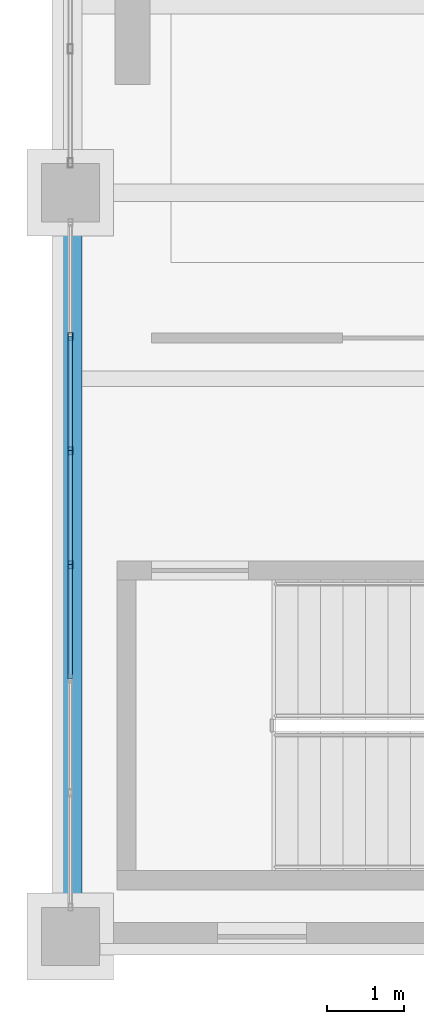
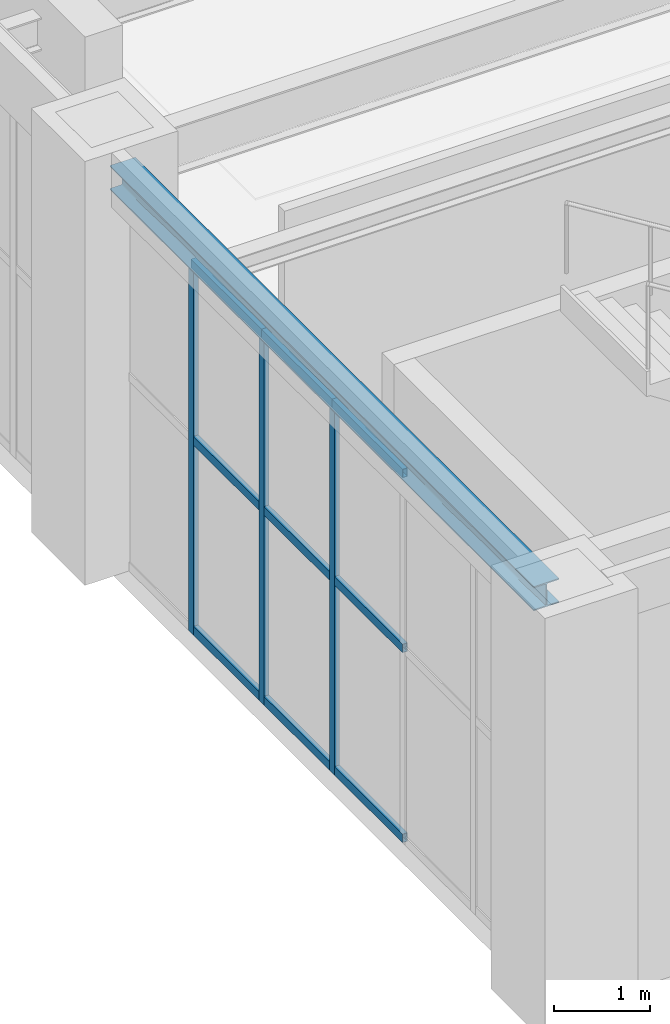
# One storey, part 24 of 164: 12 members, 1 beam, 1 element without a shape of its own.
"""IFC4 building model written with IfcOpenShell, lengths in metres."""

from ifc_helpers import new_model, si_unit, direction, frame, origin, origin_2d, place, context, subcontext, project, spatial, hollow_rectangle, i_section, extrude, material, material_profile, profile_set, type_object, element, aggregate, save


model = new_model("IFC4")

# Units and contexts
model_context = context("Model", 3, precision=1e-05, world=origin(), true_north=direction((0.0, 1.0)))
body_context = subcontext(model_context, "Body", "Model", "MODEL_VIEW")
ifc_project = project(units=[si_unit("LENGTHUNIT", "METRE"), si_unit("AREAUNIT", "SQUARE_METRE"), si_unit("VOLUMEUNIT", "CUBIC_METRE"), si_unit("PLANEANGLEUNIT", "RADIAN"), si_unit("MASSUNIT", "GRAM", prefix="KILO")], contexts=[model_context])

# Site, building, storey
site_placement = place(None, origin())
site = spatial("IfcSite", under=ifc_project, at=site_placement, CompositionType="ELEMENT")
building_placement = place(site_placement, origin())
building = spatial("IfcBuilding", under=site, at=building_placement, Name="Mavantir Sound Aquarium", CompositionType="ELEMENT")
storey_placement = place(building_placement, origin())
storey = spatial("IfcBuildingStorey", under=building, at=storey_placement, Name="L00", CompositionType="ELEMENT", Elevation=0.0)

# Beam
ifc_material_1 = material(Name="Structural Steel ASTM A992 Gr50", Category="steel")
ifc_material_profile_1 = material_profile(ifc_material_1, i_section(OverallWidth=0.304931640625, OverallDepth=0.30810546875, WebThickness=0.010009765625, FlangeThickness=0.015380859375, FilletRadius=0.014892578125, at=origin_2d()), Name="W310X97")
ifc_profile_set_1 = profile_set([ifc_material_profile_1], Name="Structural Steel ASTM A992 Gr50")
beam_type = type_object("IfcBeamType", Name="BM-W310X97-E", PredefinedType="SPANDREL", material=ifc_profile_set_1)
beam_placement = place(storey_placement, frame((0.0, 0.375, 4.94189453125), z_axis=(0.0, 1.0, 0.0), x_axis=(-1.0, 0.0, 0.0)))
element("IfcBeam", 1, at=beam_placement, inside=storey, type_object=beam_type, Name="L00 primary girder SS-31A 906", PredefinedType="SPANDREL", context=body_context, shape_type="SweptSolid", body=[
    extrude(i_section(OverallWidth=0.304931640625, OverallDepth=0.30810546875, WebThickness=0.010009765625, FlangeThickness=0.015380859375, FilletRadius=0.014892578125, at=origin_2d()), origin(), (0.0, 0.0, 1.0), 8.85009765625),
])

# Curtain wall, members
ifc_material_2 = material(Name="Anodised Marine Aluminium and Low-E Glass", Category="aluminium")
curtain_wall_type = type_object("IfcCurtainWallType", Name="CW-T13", PredefinedType="USERDEFINED", material=ifc_material_2)
curtain_wall_placement = place(storey_placement, origin())
curtain_wall = element("IfcCurtainWall", 2, at=curtain_wall_placement, inside=storey, type_object=curtain_wall_type, Name="L00 unitised curtain wall CW-13 13", ObjectType="UNITISED GLAZING", PredefinedType="USERDEFINED")
ifc_material_3 = material(Name="Anodised Marine Aluminium 6063-T6", Category="aluminium")
ifc_material_profile_2 = material_profile(ifc_material_3, hollow_rectangle(XDim=0.06005859375, YDim=0.10009765625, WallThickness=0.00390625, at=origin_2d()), Name="ALU-MULLION-100X60")
ifc_profile_set_2 = profile_set([ifc_material_profile_2], Name="Anodised Marine Aluminium 6063-T6")
member_type_1 = type_object("IfcMemberType", Name="CW-MUL-100", PredefinedType="MULLION", material=ifc_profile_set_2)
member_1_placement = place(storey_placement, frame((0.0, 7.74462890625, 0.0), z_axis=(0.0, 0.0, 1.0), x_axis=(1.0, 0.0, 0.0)))
member_1 = element("IfcMember", 3, at=member_1_placement, type_object=member_type_1, Name="CW-L00-013 vertical mullion 2", PredefinedType="MULLION", context=body_context, shape_type="SweptSolid", body=[
    extrude(hollow_rectangle(XDim=0.06005859375, YDim=0.10009765625, WallThickness=0.00390625, at=origin_2d()), origin(), (0.0, 0.0, 1.0), 4.758056640625),
])
member_2_placement = place(storey_placement, frame((0.0, 6.272216796875, 0.0), z_axis=(0.0, 0.0, 1.0), x_axis=(1.0, 0.0, 0.0)))
member_2 = element("IfcMember", 4, at=member_2_placement, type_object=member_type_1, Name="CW-L00-013 vertical mullion 3", PredefinedType="MULLION", context=body_context, shape_type="SweptSolid", body=[
    extrude(hollow_rectangle(XDim=0.06005859375, YDim=0.10009765625, WallThickness=0.00390625, at=origin_2d()), origin(), (0.0, 0.0, 1.0), 4.758056640625),
])
member_3_placement = place(storey_placement, frame((0.0, 4.800048828125, 0.0), z_axis=(0.0, 0.0, 1.0), x_axis=(1.0, 0.0, 0.0)))
member_3 = element("IfcMember", 5, at=member_3_placement, type_object=member_type_1, Name="CW-L00-013 vertical mullion 4", PredefinedType="MULLION", context=body_context, shape_type="SweptSolid", body=[
    extrude(hollow_rectangle(XDim=0.06005859375, YDim=0.10009765625, WallThickness=0.00390625, at=origin_2d()), origin(), (0.0, 0.0, 1.0), 4.758056640625),
])
ifc_material_profile_3 = material_profile(ifc_material_3, hollow_rectangle(XDim=0.06005859375, YDim=0.110107421875, WallThickness=0.00390625, at=origin_2d()), Name="ALU-TRANSOM-110X60")
ifc_profile_set_3 = profile_set([ifc_material_profile_3], Name="Anodised Marine Aluminium 6063-T6")
member_type_2 = type_object("IfcMemberType", Name="CW-TRN-110", PredefinedType="USERDEFINED", material=ifc_profile_set_3)
member_4_placement = place(storey_placement, frame((0.0, 7.74462890625, 0.054931640625), z_axis=(0.0, -1.0, 0.0), x_axis=(1.0, 0.0, 0.0)))
member_4 = element("IfcMember", 6, at=member_4_placement, type_object=member_type_2, Name="CW-L00-013 transom 2.1", ObjectType="TRANSOM", PredefinedType="USERDEFINED", context=body_context, shape_type="SweptSolid", body=[
    extrude(hollow_rectangle(XDim=0.06005859375, YDim=0.110107421875, WallThickness=0.00390625, at=origin_2d()), origin(), (0.0, 0.0, 1.0), 1.472412109375),
])
member_5_placement = place(storey_placement, frame((0.0, 7.74462890625, 2.47412109375), z_axis=(0.0, -1.0, 0.0), x_axis=(1.0, 0.0, 0.0)))
member_5 = element("IfcMember", 7, at=member_5_placement, type_object=member_type_2, Name="CW-L00-013 transom 2.2", ObjectType="TRANSOM", PredefinedType="USERDEFINED", context=body_context, shape_type="SweptSolid", body=[
    extrude(hollow_rectangle(XDim=0.06005859375, YDim=0.110107421875, WallThickness=0.00390625, at=origin_2d()), origin(), (0.0, 0.0, 1.0), 1.472412109375),
])
member_6_placement = place(storey_placement, frame((0.0, 7.74462890625, 4.702880859375), z_axis=(0.0, -1.0, 0.0), x_axis=(1.0, 0.0, 0.0)))
member_6 = element("IfcMember", 8, at=member_6_placement, type_object=member_type_2, Name="CW-L00-013 transom 2.3", ObjectType="TRANSOM", PredefinedType="USERDEFINED", context=body_context, shape_type="SweptSolid", body=[
    extrude(hollow_rectangle(XDim=0.06005859375, YDim=0.110107421875, WallThickness=0.00390625, at=origin_2d()), origin(), (0.0, 0.0, 1.0), 1.472412109375),
])
member_7_placement = place(storey_placement, frame((0.0, 6.272216796875, 0.054931640625), z_axis=(0.0, -1.0, 0.0), x_axis=(1.0, 0.0, 0.0)))
member_7 = element("IfcMember", 9, at=member_7_placement, type_object=member_type_2, Name="CW-L00-013 transom 3.1", ObjectType="TRANSOM", PredefinedType="USERDEFINED", context=body_context, shape_type="SweptSolid", body=[
    extrude(hollow_rectangle(XDim=0.06005859375, YDim=0.110107421875, WallThickness=0.00390625, at=origin_2d()), origin(), (0.0, 0.0, 1.0), 1.47216796875),
])
member_8_placement = place(storey_placement, frame((0.0, 6.272216796875, 2.47412109375), z_axis=(0.0, -1.0, 0.0), x_axis=(1.0, 0.0, 0.0)))
member_8 = element("IfcMember", 10, at=member_8_placement, type_object=member_type_2, Name="CW-L00-013 transom 3.2", ObjectType="TRANSOM", PredefinedType="USERDEFINED", context=body_context, shape_type="SweptSolid", body=[
    extrude(hollow_rectangle(XDim=0.06005859375, YDim=0.110107421875, WallThickness=0.00390625, at=origin_2d()), origin(), (0.0, 0.0, 1.0), 1.47216796875),
])
member_9_placement = place(storey_placement, frame((0.0, 6.272216796875, 4.702880859375), z_axis=(0.0, -1.0, 0.0), x_axis=(1.0, 0.0, 0.0)))
member_9 = element("IfcMember", 11, at=member_9_placement, type_object=member_type_2, Name="CW-L00-013 transom 3.3", ObjectType="TRANSOM", PredefinedType="USERDEFINED", context=body_context, shape_type="SweptSolid", body=[
    extrude(hollow_rectangle(XDim=0.06005859375, YDim=0.110107421875, WallThickness=0.00390625, at=origin_2d()), origin(), (0.0, 0.0, 1.0), 1.47216796875),
])
member_10_placement = place(storey_placement, frame((0.0, 4.800048828125, 0.054931640625), z_axis=(0.0, -1.0, 0.0), x_axis=(1.0, 0.0, 0.0)))
member_10 = element("IfcMember", 12, at=member_10_placement, type_object=member_type_2, Name="CW-L00-013 transom 4.1", ObjectType="TRANSOM", PredefinedType="USERDEFINED", context=body_context, shape_type="SweptSolid", body=[
    extrude(hollow_rectangle(XDim=0.06005859375, YDim=0.110107421875, WallThickness=0.00390625, at=origin_2d()), origin(), (0.0, 0.0, 1.0), 1.472412109375),
])
member_11_placement = place(storey_placement, frame((0.0, 4.800048828125, 2.47412109375), z_axis=(0.0, -1.0, 0.0), x_axis=(1.0, 0.0, 0.0)))
member_11 = element("IfcMember", 13, at=member_11_placement, type_object=member_type_2, Name="CW-L00-013 transom 4.2", ObjectType="TRANSOM", PredefinedType="USERDEFINED", context=body_context, shape_type="SweptSolid", body=[
    extrude(hollow_rectangle(XDim=0.06005859375, YDim=0.110107421875, WallThickness=0.00390625, at=origin_2d()), origin(), (0.0, 0.0, 1.0), 1.472412109375),
])
member_12_placement = place(storey_placement, frame((0.0, 4.800048828125, 4.702880859375), z_axis=(0.0, -1.0, 0.0), x_axis=(1.0, 0.0, 0.0)))
member_12 = element("IfcMember", 14, at=member_12_placement, type_object=member_type_2, Name="CW-L00-013 transom 4.3", ObjectType="TRANSOM", PredefinedType="USERDEFINED", context=body_context, shape_type="SweptSolid", body=[
    extrude(hollow_rectangle(XDim=0.06005859375, YDim=0.110107421875, WallThickness=0.00390625, at=origin_2d()), origin(), (0.0, 0.0, 1.0), 1.472412109375),
])
aggregate(curtain_wall, [member_1, member_2, member_3, member_4, member_5, member_6, member_7, member_8, member_9, member_10, member_11, member_12])

save(model, "model.ifc")
